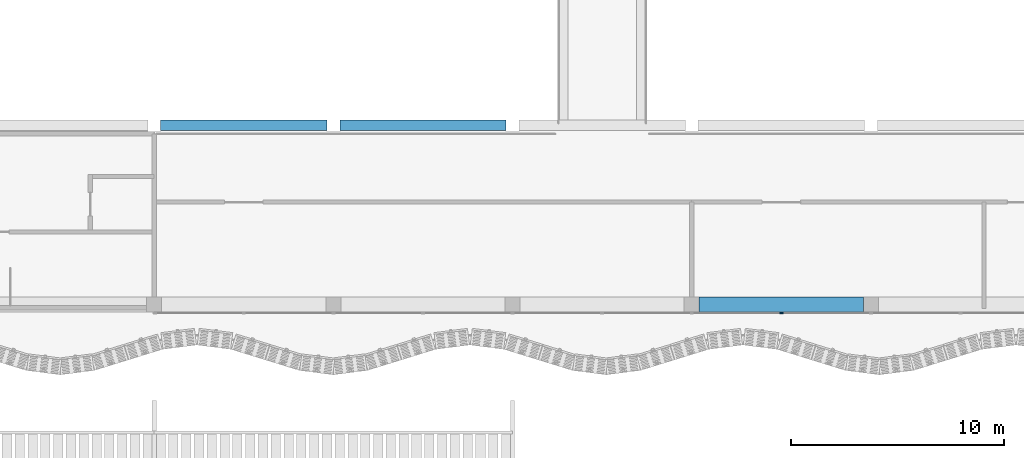
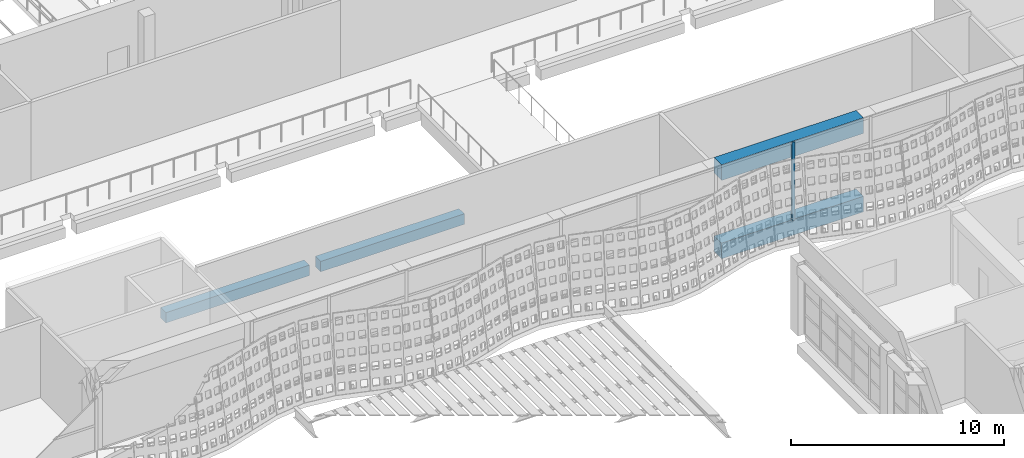
# One storey, part 48 of 162: 4 beams, 1 member, 1 element without a shape of its own.
"""IFC4 building model written with IfcOpenShell, lengths in metres."""

from ifc_helpers import new_model, si_unit, direction, frame, origin, origin_2d, place, context, subcontext, project, spatial, rectangle, extrude, material, layer, layer_set, material_profile, profile_set, type_object, element, aggregate, save


model = new_model("IFC4")

# Units and contexts
model_context = context("Model", 3, precision=1e-05, world=origin(), true_north=direction((0.0, 1.0)))
body_context = subcontext(model_context, "Body", "Model", "MODEL_VIEW")
ifc_project = project(units=[si_unit("LENGTHUNIT", "METRE"), si_unit("AREAUNIT", "SQUARE_METRE"), si_unit("VOLUMEUNIT", "CUBIC_METRE"), si_unit("PLANEANGLEUNIT", "RADIAN"), si_unit("MASSUNIT", "GRAM", prefix="KILO")], contexts=[model_context])

# Site, building, storey
site_placement = place(None, origin())
site = spatial("IfcSite", under=ifc_project, at=site_placement, CompositionType="ELEMENT")
building_placement = place(site_placement, origin())
building = spatial("IfcBuilding", under=site, at=building_placement, Name="Rain Tree Exposition and Congress Centre", CompositionType="ELEMENT")
storey_placement = place(building_placement, frame((0.0, 0.0, 6.0)))
storey = spatial("IfcBuildingStorey", under=building, at=storey_placement, Name="L01", CompositionType="ELEMENT", Elevation=6.0)

# Curtain wall, member
ifc_material_1 = material(Name="Aluminium curtain wall system", Category="aluminium")
ifc_layer = layer(ifc_material_1, 0.10009765625)
ifc_layer_set = layer_set([ifc_layer], Name="Aluminium curtain wall system")
curtain_wall_type = type_object("IfcCurtainWallType", Name="Concourse curtain wall 4200 module", PredefinedType="NOTDEFINED", material=ifc_layer_set)
curtain_wall_placement = place(storey_placement, origin())
curtain_wall = element("IfcCurtainWall", 1, at=curtain_wall_placement, inside=storey, type_object=curtain_wall_type, Name="Concourse curtain wall CWC25", PredefinedType="NOTDEFINED")
ifc_material_2 = material(Name="Aluminium mullion", Category="aluminium")
ifc_material_profile_1 = material_profile(ifc_material_2, rectangle(XDim=0.06005859375, YDim=0.159912109375, at=origin_2d()), Name="AL 60x160")
ifc_profile_set_1 = profile_set([ifc_material_profile_1], Name="Aluminium mullion")
member_type = type_object("IfcMemberType", Name="Concourse curtain wall mullion 60x160", PredefinedType="MULLION", material=ifc_profile_set_1)
member_placement = place(storey_placement, frame((155.39990234375, 75.199951171875, 0.0), z_axis=(0.0, 0.0, 1.0), x_axis=(0.0, 1.0, 0.0)))
member = element("IfcMember", 2, at=member_placement, type_object=member_type, Name="CWC25 mullion 8", PredefinedType="MULLION", context=body_context, shape_type="SweptSolid", body=[
    extrude(rectangle(XDim=0.06005859375, YDim=0.159912109375, at=origin_2d()), origin(), (0.0, 0.0, 1.0), 4.5),
])
aggregate(curtain_wall, [member])

# Beams
ifc_material_3 = material(Name="Precast concrete C50/60", Category="concrete")
ifc_material_profile_2 = material_profile(ifc_material_3, rectangle(XDim=0.5, YDim=0.60009765625, at=origin_2d()), Name="RC 500x600")
ifc_profile_set_2 = profile_set([ifc_material_profile_2], Name="Precast concrete C50/60")
beam_type_1 = type_object("IfcBeamType", Name="Precast beam 500x600", PredefinedType="BEAM", material=ifc_profile_set_2)
for number, where, z_axis, x_axis, name in (
    (3, (126.300048828125, 84.0, -0.60009765625), (1.0, 0.0, 0.0), (0.0, 1.0, 0.0), "Concourse floor beam 48"),
    (4, (134.699951171875, 84.0, -0.60009765625), (1.0, 0.0, 0.0), (0.0, 1.0, 0.0), "Concourse floor beam 49"),
):
    element("IfcBeam", number, at=place(storey_placement, frame(where, z_axis=z_axis, x_axis=x_axis)), inside=storey, type_object=beam_type_1, Name=name, PredefinedType="BEAM", context=body_context, shape_type="SweptSolid", body=[
        extrude(rectangle(XDim=0.5, YDim=0.60009765625, at=origin_2d()), origin(), (0.0, 0.0, 1.0), 7.800048828125),
    ])
ifc_material_4 = material(Name="Precast concrete C50/60", Category="concrete")
ifc_material_profile_3 = material_profile(ifc_material_4, rectangle(XDim=0.699951171875, YDim=0.89990234375, at=origin_2d()), Name="RC 700x900")
ifc_profile_set_3 = profile_set([ifc_material_profile_3], Name="Precast concrete C50/60")
beam_type_2 = type_object("IfcBeamType", Name="Precast beam 700x900", PredefinedType="BEAM", material=ifc_profile_set_3)
for number, where, z_axis, x_axis, name in (
    (5, (151.550048828125, 75.60009765625, -0.449951171875), (1.0, 0.0, 0.0), (0.0, 1.0, 0.0), "Concourse edge beam 19"),
    (6, (151.550048828125, 75.60009765625, 4.050048828125), (1.0, 0.0, 0.0), (0.0, 1.0, 0.0), "Concourse roof edge beam 19"),
):
    element("IfcBeam", number, at=place(storey_placement, frame(where, z_axis=z_axis, x_axis=x_axis)), inside=storey, type_object=beam_type_2, Name=name, PredefinedType="BEAM", context=body_context, shape_type="SweptSolid", body=[
        extrude(rectangle(XDim=0.699951171875, YDim=0.89990234375, at=origin_2d()), origin(), (0.0, 0.0, 1.0), 7.699951171875),
    ])

save(model, "model.ifc")
